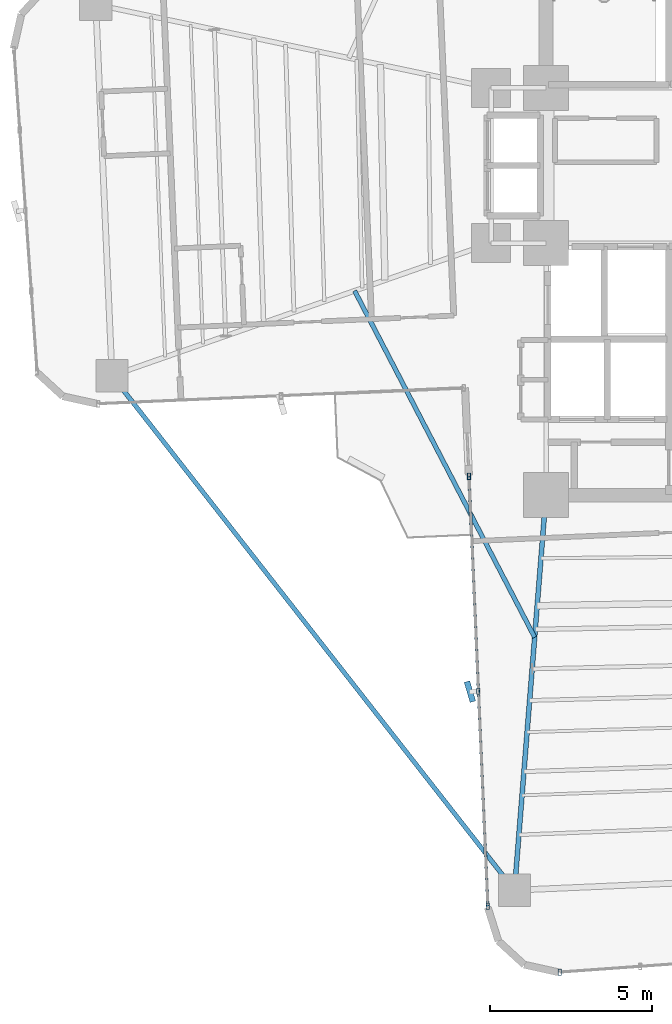
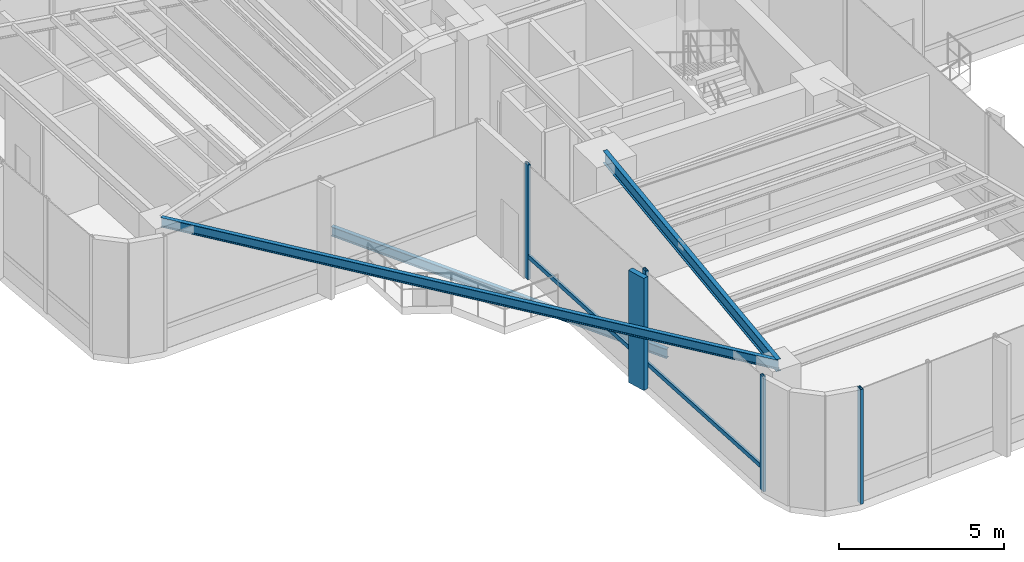
# One storey, part 2 of 23: 7 members, 3 beams, 2 elements without a shape of their own.
"""IFC4 building model written with IfcOpenShell, lengths in metres."""

import ifcopenshell
import ifcopenshell.guid

model = None  # the IFC model being written
_history = None  # IfcOwnerHistory: only IFC2X3 demands one
_inside = {}  # id of a spatial element -> (the spatial element, [elements in it])
_under = {}  # id of a project, library or spatial element -> (it, [spatial elements below it])
_declared = {}  # id of a project -> (the project, [libraries it declares])
_typed = {}  # id of a type object -> (the type object, [elements of that type])
_made_of = {}  # id of a material, layer set ... -> (it, [elements and type objects made of it])


def new_model(schema):
    """Start an empty IFC model of exactly this schema.

    Asked for "IFC4X3", IfcOpenShell would pick the latest addendum, in which some entities
    have other attributes; the version numbers below select the first issue.
    IFC2X3 requires an IfcOwnerHistory on every rooted entity: one is made here for all.
    """
    global model, _history
    if schema == "IFC4X3":
        model = ifcopenshell.file(schema_version=(4, 3, 0, 0))
    else:
        model = ifcopenshell.file(schema=schema)
    _inside.clear()
    _under.clear()
    _declared.clear()
    _typed.clear()
    _made_of.clear()
    _history = None
    if model.schema == "IFC2X3":
        org = make("IfcOrganization", Name="unknown")
        user = make(
            "IfcPersonAndOrganization",
            ThePerson=make("IfcPerson", FamilyName="unknown"),
            TheOrganization=org,
        )
        app = make(
            "IfcApplication",
            ApplicationDeveloper=org,
            Version="unknown",
            ApplicationFullName="unknown",
            ApplicationIdentifier="unknown",
        )
        _history = make(
            "IfcOwnerHistory",
            OwningUser=user,
            OwningApplication=app,
            ChangeAction="ADDED",
            CreationDate=0,
        )
    return model


def make(cls, **values):
    """One entity of the class cls with the attributes given. An attribute that is None is left unset."""
    return model.create_entity(
        cls, **{name: value for name, value in values.items() if value is not None}
    )


def rooted(cls, **values):
    """An entity with a GlobalId (a new one), such as an element, a storey or a relation."""
    return make(cls, GlobalId=ifcopenshell.guid.new(), OwnerHistory=_history, **values)


def si_unit(unit_type, name, prefix=None):
    """IfcSIUnit, for example si_unit("LENGTHUNIT", "METRE", prefix="MILLI")."""
    return make("IfcSIUnit", UnitType=unit_type, Prefix=prefix, Name=name)


def assignment(units):
    """IfcUnitAssignment: the units of a project."""
    return None if units is None else make("IfcUnitAssignment", Units=units)


def point(xyz):
    """IfcCartesianPoint."""
    return None if xyz is None else make("IfcCartesianPoint", Coordinates=xyz)


def direction(xyz):
    """IfcDirection."""
    return None if xyz is None else make("IfcDirection", DirectionRatios=xyz)


def frame(location, z_axis=None, x_axis=None):
    """IfcAxis2Placement3D, a coordinate frame: its origin and axes. An axis left out is left unset."""
    return make(
        "IfcAxis2Placement3D",
        Location=point(location),
        Axis=direction(z_axis),
        RefDirection=direction(x_axis),
    )


def frame_2d(location, x_axis=None):
    """IfcAxis2Placement2D, a coordinate frame in the plane: its origin and x axis."""
    return make(
        "IfcAxis2Placement2D", Location=point(location), RefDirection=direction(x_axis)
    )


def origin():
    """The frame at (0, 0, 0) with its axes left unset."""
    return frame((0.0, 0.0, 0.0))


def origin_2d():
    """The frame at (0, 0) in the plane with its x axis left unset."""
    return frame_2d((0.0, 0.0))


def place(relative_to, where):
    """IfcLocalPlacement: puts the frame where relative to a parent placement (None: the world)."""
    return make(
        "IfcLocalPlacement", PlacementRelTo=relative_to, RelativePlacement=where
    )


def context(
    kind, dimensions, precision=None, world=None, true_north=None, identifier=None
):
    """IfcGeometricRepresentationContext, for example the 3D "Model" context."""
    return make(
        "IfcGeometricRepresentationContext",
        ContextIdentifier=identifier,
        ContextType=kind,
        CoordinateSpaceDimension=dimensions,
        Precision=precision,
        WorldCoordinateSystem=world,
        TrueNorth=true_north,
    )


def subcontext(parent, identifier, kind, view, scale=None):
    """IfcGeometricRepresentationSubContext, for example "Body" below "Model"."""
    return make(
        "IfcGeometricRepresentationSubContext",
        ContextIdentifier=identifier,
        ContextType=kind,
        ParentContext=parent,
        TargetScale=scale,
        TargetView=view,
    )


def project(units=None, contexts=None):
    """IfcProject with its units and contexts."""
    return rooted(
        "IfcProject",
        Name="project",
        RepresentationContexts=contexts,
        UnitsInContext=assignment(units),
    )


def spatial(cls, under=None, at=None, **own):
    """A site, building, storey or space (cls), placed at a placement, below another one or the project."""
    s = rooted(cls, ObjectPlacement=at, **own)
    if under is not None:
        _under.setdefault(under.id(), (under, []))[1].append(s)
    return s


def profile(cls, at=None, kind="AREA", **sizes):
    """A parametric profile (cls). Its sizes go by their IFC names, for example OverallWidth=200.0."""
    return make(cls, ProfileType=kind, Position=at, **sizes)


def rectangle(**sizes):
    """IfcRectangleProfileDef."""
    return profile("IfcRectangleProfileDef", **sizes)


def hollow_rectangle(**sizes):
    """IfcRectangleHollowProfileDef."""
    return profile("IfcRectangleHollowProfileDef", **sizes)


def i_section(**sizes):
    """IfcIShapeProfileDef."""
    return profile("IfcIShapeProfileDef", **sizes)


def extrude(swept, where, along, depth):
    """IfcExtrudedAreaSolid: the profile swept, set in the frame where, extruded along a direction by depth."""
    return make(
        "IfcExtrudedAreaSolid",
        SweptArea=swept,
        Position=where,
        ExtrudedDirection=direction(along),
        Depth=depth,
    )


def shape(context_of_items, identifier, shape_type, items):
    """IfcShapeRepresentation: the items that make up one representation, for example the "Body"."""
    return make(
        "IfcShapeRepresentation",
        ContextOfItems=context_of_items,
        RepresentationIdentifier=identifier,
        RepresentationType=shape_type,
        Items=items,
    )


def source(mapping_origin, context_of_items, identifier, shape_type, items):
    """IfcRepresentationMap: a shape defined once, which mapped items show again and again."""
    return make(
        "IfcRepresentationMap",
        MappingOrigin=mapping_origin,
        MappedRepresentation=shape(context_of_items, identifier, shape_type, items),
    )


def transform(
    local_origin,
    x_axis=None,
    y_axis=None,
    z_axis=None,
    scale=None,
    scale2=None,
    scale3=None,
    uniform=True,
):
    """IfcCartesianTransformationOperator3D, or its non-uniform kind. x_axis, y_axis, z_axis: its Axis1, 2, 3."""
    if uniform:
        return make(
            "IfcCartesianTransformationOperator3D",
            Axis1=direction(x_axis),
            Axis2=direction(y_axis),
            LocalOrigin=point(local_origin),
            Scale=scale,
            Axis3=direction(z_axis),
        )
    return make(
        "IfcCartesianTransformationOperator3DnonUniform",
        Axis1=direction(x_axis),
        Axis2=direction(y_axis),
        LocalOrigin=point(local_origin),
        Scale=scale,
        Axis3=direction(z_axis),
        Scale2=scale2,
        Scale3=scale3,
    )


def mapped(mapping_source, mapping_target):
    """IfcMappedItem: shows the shape of a source again, moved by a transform."""
    return make(
        "IfcMappedItem", MappingSource=mapping_source, MappingTarget=mapping_target
    )


def material(Name=None, Category=None):
    """IfcMaterial."""
    return make("IfcMaterial", Name=Name, Category=Category)


def material_profile(
    of_material, cross_section, Name=None, Category=None, Priority=None
):
    """IfcMaterialProfile: a cross section and its material."""
    return make(
        "IfcMaterialProfile",
        Name=Name,
        Material=of_material,
        Profile=cross_section,
        Priority=Priority,
        Category=Category,
    )


def profile_set(profiles, Name=None, composite=None):
    """IfcMaterialProfileSet."""
    return make(
        "IfcMaterialProfileSet",
        Name=Name,
        MaterialProfiles=profiles,
        CompositeProfile=composite,
    )


def made_of(thing, what):
    """Note that an element or type object is made of a material, layer set ...; save() writes the relation."""
    if what is not None:
        _made_of.setdefault(what.id(), (what, []))[1].append(thing)
    return thing


def type_object(cls, material=None, **own):
    """A type object (cls), such as IfcWallType, which elements share."""
    return made_of(rooted(cls, **own), material)


def element(
    cls,
    number,
    at=None,
    inside=None,
    cuts=None,
    type_object=None,
    material=None,
    context=None,
    identifier="Body",
    shape_type=None,
    held_by="IfcProductDefinitionShape",
    body=None,
    shapes=None,
    **own,
):
    """One element of the class cls, such as IfcWall. Its Tag is "e" and its number.

    at: its placement. inside: the storey or other place that contains it. cuts: it is an
    opening in that element (IfcRelVoidsElement). A single representation is given by context,
    identifier, shape_type and body (its items); several are given by shapes. held_by: the class
    of the entity that holds the representations. save() writes the other relations.
    """
    e = rooted(cls, Tag="e%d" % number, ObjectPlacement=at, **own)
    if body is not None:
        shapes = [shape(context, identifier, shape_type, body)]
    if shapes is not None:
        e.Representation = make(held_by, Representations=shapes)
    if inside is not None:
        _inside.setdefault(inside.id(), (inside, []))[1].append(e)
    if cuts is not None:
        rooted(
            "IfcRelVoidsElement", RelatingBuildingElement=cuts, RelatedOpeningElement=e
        )
    if type_object is not None:
        _typed.setdefault(type_object.id(), (type_object, []))[1].append(e)
    return made_of(e, material)


def aggregate(whole, parts):
    """IfcRelAggregates: a whole, such as a stair, and the parts it consists of."""
    return rooted("IfcRelAggregates", RelatingObject=whole, RelatedObjects=parts)


def save(model, path):
    """Write the relations noted so far, then the file.

    IfcRelAggregates (storeys below a building ...), IfcRelContainedInSpatialStructure (elements
    in a storey), IfcRelDefinesByType, IfcRelAssociatesMaterial and IfcRelDeclares: one each for
    every whole, place, type object, material and project.
    """
    for whole, parts in _under.values():
        aggregate(whole, parts)
    for where, things in _inside.values():
        rooted(
            "IfcRelContainedInSpatialStructure",
            RelatedElements=things,
            RelatingStructure=where,
        )
    for kind, things in _typed.values():
        rooted("IfcRelDefinesByType", RelatedObjects=things, RelatingType=kind)
    for what, things in _made_of.values():
        rooted("IfcRelAssociatesMaterial", RelatedObjects=things, RelatingMaterial=what)
    for by, libraries in _declared.values():
        rooted("IfcRelDeclares", RelatingContext=by, RelatedDefinitions=libraries)
    model.write(path)


model = new_model("IFC4")

# Units and contexts
model_context = context("Model", 3, precision=1e-05, world=origin(), true_north=direction((0.0, 1.0)))
body_context = subcontext(model_context, "Body", "Model", "MODEL_VIEW")
ifc_project = project(units=[si_unit("LENGTHUNIT", "METRE"), si_unit("AREAUNIT", "SQUARE_METRE"), si_unit("VOLUMEUNIT", "CUBIC_METRE"), si_unit("PLANEANGLEUNIT", "RADIAN"), si_unit("MASSUNIT", "GRAM", prefix="KILO")], contexts=[model_context])

# Site, building, storey
site_placement = place(None, origin())
site = spatial("IfcSite", under=ifc_project, at=site_placement, CompositionType="ELEMENT")
building_placement = place(site_placement, origin())
building = spatial("IfcBuilding", under=site, at=building_placement, Name="Sahyath Konkavel Grand Hotel", CompositionType="ELEMENT")
storey_placement = place(building_placement, frame((0.0, 0.0, 106.949951171875)))
storey = spatial("IfcBuildingStorey", under=building, at=storey_placement, Name="L29", CompositionType="ELEMENT", Elevation=106.949951171875)

# Beams
ifc_material_1 = material(Name="Steel E350", Category="steel")
ifc_material_profile_1 = material_profile(ifc_material_1, i_section(OverallWidth=0.14990234375, OverallDepth=0.449951171875, WebThickness=0.009521484375, FlangeThickness=0.017333984375, FilletRadius=0.014892578125, at=origin_2d()), Name="ISMB 450")
ifc_profile_set_1 = profile_set([ifc_material_profile_1], Name="Steel E350")
beam_type_1 = type_object("IfcBeamType", Name="BM-ISMB450", PredefinedType="BEAM", material=ifc_profile_set_1)
shared_shape_1 = source(origin(), body_context, "Body", "SweptSolid", [
    extrude(i_section(OverallWidth=0.14990234375, OverallDepth=0.449951171875, WebThickness=0.009521484375, FlangeThickness=0.017333984375, FilletRadius=0.014892578125, at=origin_2d()), origin(), (0.0, 0.0, 1.0), 12.2685546875),
])
beam_1_placement = place(storey_placement, frame((-3.800048828125, -10.199951171875, 4.03515625), z_axis=(-0.079558563357, -0.996830193662, 0.0), x_axis=(0.996830193662, -0.079558563357, 0.0)))
element("IfcBeam", 1, at=beam_1_placement, inside=storey, type_object=beam_type_1, Name="L29 Cruciform Radial Girder SA", PredefinedType="BEAM", context=body_context, shape_type="MappedRepresentation", body=[
    mapped(shared_shape_1, transform((0.0, 0.0, 0.0), scale=1.0)),
])
ifc_material_profile_2 = material_profile(ifc_material_1, i_section(OverallWidth=0.139892578125, OverallDepth=0.35009765625, WebThickness=0.008056640625, FlangeThickness=0.01416015625, FilletRadius=0.013916015625, at=origin_2d()), Name="ISMB 350")
ifc_profile_set_2 = profile_set([ifc_material_profile_2], Name="Steel E350")
beam_type_2 = type_object("IfcBeamType", Name="BM-ISMB350", PredefinedType="BEAM", material=ifc_profile_set_2)
shared_shape_2 = source(origin(), body_context, "Body", "SweptSolid", [
    extrude(i_section(OverallWidth=0.139892578125, OverallDepth=0.35009765625, WebThickness=0.008056640625, FlangeThickness=0.01416015625, FilletRadius=0.013916015625, at=origin_2d()), origin(), (0.0, 0.0, 1.0), 20.215576171875),
])
beam_2_placement = place(storey_placement, frame((-17.232421875, -6.5078125, 4.0849609375), z_axis=(0.616176369687, -0.787608203004, 0.0), x_axis=(0.787608203004, 0.616176369687, 0.0)))
element("IfcBeam", 2, at=beam_2_placement, inside=storey, type_object=beam_type_2, Name="L29 Re-Entrant Tie Beam SW", PredefinedType="BEAM", context=body_context, shape_type="MappedRepresentation", body=[
    mapped(shared_shape_2, transform((0.0, 0.0, 0.0), scale=1.0)),
])

# Curtain wall, members
ifc_material_2 = material(Name="Anodised Bronze Aluminium & Low-E Glazing", Category="aluminium")
curtain_wall_type = type_object("IfcCurtainWallType", Name="CW-SKYLOBBY", PredefinedType="NOTDEFINED", material=ifc_material_2)
curtain_wall_1_placement = place(storey_placement, origin())
curtain_wall_1 = element("IfcCurtainWall", 3, at=curtain_wall_1_placement, inside=storey, type_object=curtain_wall_type, Name="L29 Unitised Curtain Wall F24", PredefinedType="NOTDEFINED")
ifc_material_3 = material(Name="Anodised Bronze Aluminium", Category="aluminium")
ifc_material_profile_3 = material_profile(ifc_material_3, hollow_rectangle(XDim=0.10009765625, YDim=0.199951171875, WallThickness=0.008056640625, at=origin_2d()), Name="RHS 200x100x8")
ifc_profile_set_3 = profile_set([ifc_material_profile_3], Name="Anodised Bronze Aluminium")
member_type_1 = type_object("IfcMemberType", Name="CW-MUL-200", PredefinedType="MULLION", material=ifc_profile_set_3)
shared_shape_3 = source(origin(), body_context, "Body", "SweptSolid", [
    extrude(hollow_rectangle(XDim=0.10009765625, YDim=0.199951171875, WallThickness=0.008056640625, at=origin_2d()), origin(), (0.0, 0.0, 1.0), 4.260009765625),
])
member_1_placement = place(storey_placement, frame((-6.186279296875, -9.618896484375, 0.0), z_axis=(0.0, 0.0, 1.0), x_axis=(1.0, 0.0, 0.0)))
member_1 = element("IfcMember", 4, at=member_1_placement, type_object=member_type_1, Name="L29 Curtain Wall Mullion F24-0", PredefinedType="MULLION", context=body_context, shape_type="MappedRepresentation", body=[
    mapped(shared_shape_3, transform((0.0, 0.0, 0.0), scale=1.0)),
])
member_2_placement = place(storey_placement, frame((-5.895751953125, -16.272705078125, 0.0), z_axis=(0.0, 0.0, 1.0), x_axis=(1.0, 0.0, 0.0)))
member_2 = element("IfcMember", 5, at=member_2_placement, type_object=member_type_1, Name="L29 Curtain Wall Mullion F24-1", PredefinedType="MULLION", context=body_context, shape_type="MappedRepresentation", body=[
    mapped(shared_shape_3, transform((0.0, 0.0, 0.0), scale=1.0)),
])
member_3_placement = place(storey_placement, frame((-5.605224609375, -22.92626953125, 0.0), z_axis=(0.0, 0.0, 1.0), x_axis=(1.0, 0.0, 0.0)))
member_3 = element("IfcMember", 6, at=member_3_placement, type_object=member_type_1, Name="L29 Curtain Wall Mullion F24-2", PredefinedType="MULLION", context=body_context, shape_type="MappedRepresentation", body=[
    mapped(shared_shape_3, transform((0.0, 0.0, 0.0), scale=1.0)),
])

# Curtain wall, member
curtain_wall_2_placement = place(storey_placement, origin())
curtain_wall_2 = element("IfcCurtainWall", 7, at=curtain_wall_2_placement, inside=storey, type_object=curtain_wall_type, Name="L29 Unitised Curtain Wall F28", PredefinedType="NOTDEFINED")
member_4_placement = place(storey_placement, frame((-3.3740234375, -24.9697265625, 0.0), z_axis=(0.0, 0.0, 1.0), x_axis=(1.0, 0.0, 0.0)))
member_4 = element("IfcMember", 8, at=member_4_placement, type_object=member_type_1, Name="L29 Curtain Wall Mullion F28-0", PredefinedType="MULLION", context=body_context, shape_type="MappedRepresentation", body=[
    mapped(shared_shape_3, transform((0.0, 0.0, 0.0), scale=1.0)),
])
aggregate(curtain_wall_2, [member_4])

# Member
ifc_material_4 = material(Name="Warm Buff Sandstone Cladding on Concrete C50/60", Category="masonry")
ifc_material_profile_4 = material_profile(ifc_material_4, rectangle(XDim=0.179931640625, YDim=0.64990234375, at=origin_2d()), Name="FIN 180x650")
ifc_profile_set_4 = profile_set([ifc_material_profile_4], Name="Warm Buff Sandstone Cladding on Concrete C50/60")
member_type_2 = type_object("IfcMemberType", Name="FIN-SANDSTONE-650", PredefinedType="MULLION", material=ifc_profile_set_4)
shared_shape_4 = source(origin(), body_context, "Body", "SweptSolid", [
    extrude(rectangle(XDim=0.179931640625, YDim=0.64990234375, at=origin_2d()), origin(), (0.0, 0.0, 1.0), 4.159912109375),
])
member_5_placement = place(storey_placement, frame((-6.155517578125, -16.283935546875, 0.050048828125), z_axis=(0.0, 0.0, 1.0), x_axis=(0.958720536398, 0.28435001862, 0.0)))
member_5 = element("IfcMember", 9, at=member_5_placement, type_object=member_type_2, Name="L29 Sandstone Vertical Solar Fin FIN F24-1", PredefinedType="MULLION", context=body_context, shape_type="MappedRepresentation", body=[
    mapped(shared_shape_4, transform((0.0, 0.0, 0.0), scale=1.0)),
])

ifc_material_profile_5 = material_profile(ifc_material_3, hollow_rectangle(XDim=0.080078125, YDim=0.159912109375, WallThickness=0.006103515625, at=origin_2d()), Name="RHS 160x80x6")
ifc_profile_set_5 = profile_set([ifc_material_profile_5], Name="Anodised Bronze Aluminium")
member_type_3 = type_object("IfcMemberType", Name="CW-TRN-160", PredefinedType="USERDEFINED", material=ifc_profile_set_5)
shared_shape_5 = source(origin(), body_context, "Body", "SweptSolid", [
    extrude(hollow_rectangle(XDim=0.080078125, YDim=0.159912109375, WallThickness=0.006103515625, at=origin_2d()), origin(), (0.0, 0.0, 1.0), 6.66015625),
])
member_6_placement = place(storey_placement, frame((-6.186279296875, -9.618896484375, 0.85009765625), z_axis=(0.043621753165, -0.999048118286, 0.0), x_axis=(0.999048118286, 0.043621753165, 0.0)))
member_6 = element("IfcMember", 10, at=member_6_placement, type_object=member_type_3, Name="L29 Curtain Wall Transom F24-0-spandrel", ObjectType="TRANSOM", PredefinedType="USERDEFINED", context=body_context, shape_type="MappedRepresentation", body=[
    mapped(shared_shape_5, transform((0.0, 0.0, 0.0), scale=1.0)),
])

shared_shape_6 = source(origin(), body_context, "Body", "SweptSolid", [
    extrude(hollow_rectangle(XDim=0.080078125, YDim=0.159912109375, WallThickness=0.006103515625, at=origin_2d()), origin(), (0.0, 0.0, 1.0), 6.659912109375),
])
member_7_placement = place(storey_placement, frame((-5.895751953125, -16.272705078125, 0.85009765625), z_axis=(0.043623350741, -0.999048048529, 0.0), x_axis=(0.999048048529, 0.043623350741, 0.0)))
member_7 = element("IfcMember", 11, at=member_7_placement, type_object=member_type_3, Name="L29 Curtain Wall Transom F24-1-spandrel", ObjectType="TRANSOM", PredefinedType="USERDEFINED", context=body_context, shape_type="MappedRepresentation", body=[
    mapped(shared_shape_6, transform((0.0, 0.0, 0.0), scale=1.0)),
])

aggregate(curtain_wall_1, [member_1, member_2, member_5, member_3, member_6, member_7])

# Beam
ifc_material_profile_6 = material_profile(ifc_material_1, i_section(OverallWidth=0.139892578125, OverallDepth=0.35009765625, WebThickness=0.008056640625, FlangeThickness=0.01416015625, FilletRadius=0.013916015625, at=origin_2d()), Name="ISMB 350")
ifc_profile_set_6 = profile_set([ifc_material_profile_6], Name="Steel E350")
beam_type_3 = type_object("IfcBeamType", Name="BM-BALC-CANT", PredefinedType="BEAM", material=ifc_profile_set_6)
shared_shape_7 = source(origin(), body_context, "Body", "SweptSolid", [
    extrude(i_section(OverallWidth=0.139892578125, OverallDepth=0.35009765625, WebThickness=0.008056640625, FlangeThickness=0.01416015625, FilletRadius=0.013916015625, at=origin_2d()), origin(), (0.0, 0.0, 1.0), 12.085205078125),
])
beam_3_placement = place(storey_placement, frame((-9.7236328125, -3.87890625, -0.474853515625), z_axis=(0.461082384626, -0.887357331962, 0.0), x_axis=(0.887357331962, 0.461082384626, 0.0)))
element("IfcBeam", 12, at=beam_3_placement, inside=storey, type_object=beam_type_3, Name="L29 Balcony Cantilever Support Beam SW", PredefinedType="BEAM", context=body_context, shape_type="MappedRepresentation", body=[
    mapped(shared_shape_7, transform((0.0, 0.0, 0.0), scale=1.0)),
])

save(model, "model.ifc")
